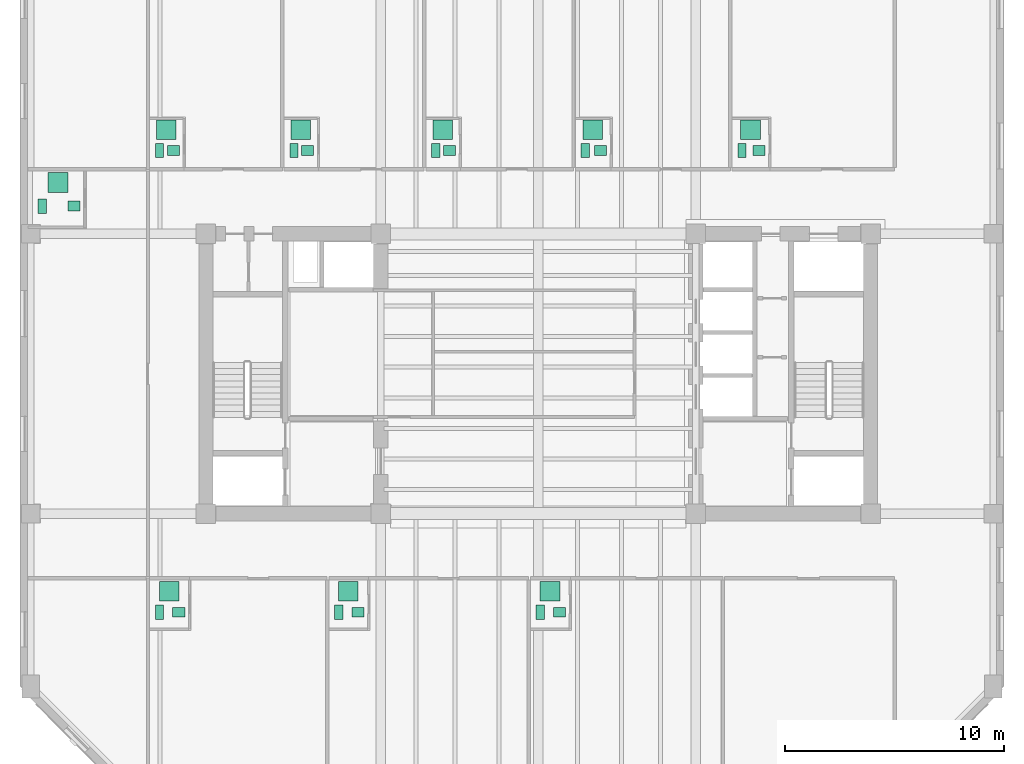
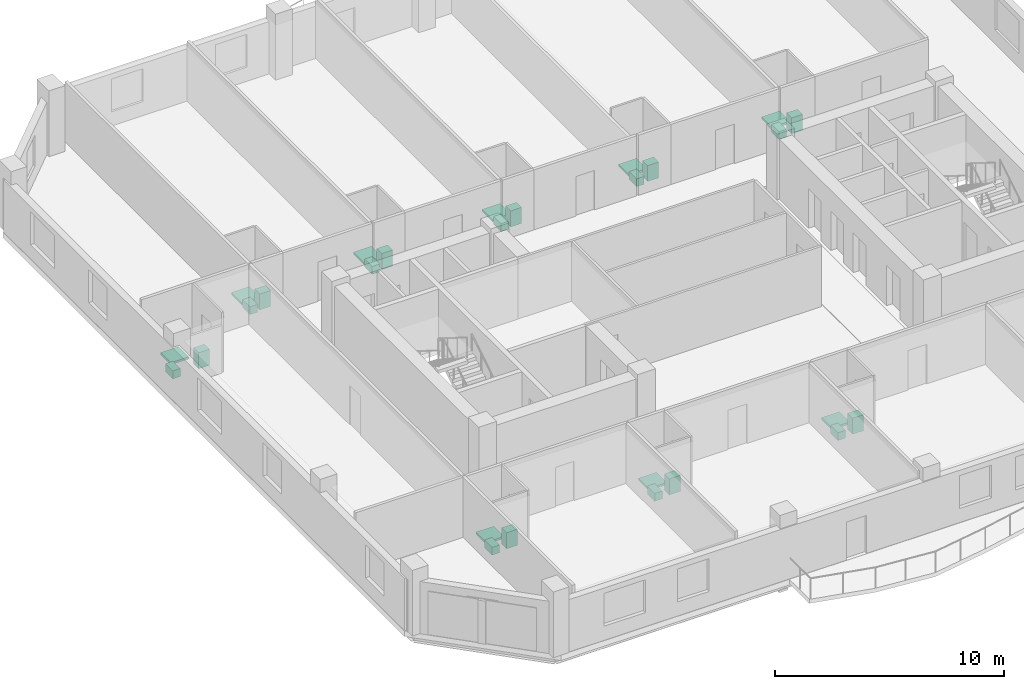
# One storey, part 11 of 11: 27 sanitary terminals.
"""IFC4 building model written with IfcOpenShell, lengths in metres."""

from ifc_helpers import new_model, si_unit, direction, frame, origin, origin_2d, place, context, subcontext, project, spatial, rectangle, extrude, material, type_object, element, save


model = new_model("IFC4")

# Units and contexts
model_context = context("Model", 3, precision=1e-05, world=origin(), true_north=direction((0.0, 1.0)))
body_context = subcontext(model_context, "Body", "Model", "MODEL_VIEW")
ifc_project = project(units=[si_unit("LENGTHUNIT", "METRE"), si_unit("AREAUNIT", "SQUARE_METRE"), si_unit("VOLUMEUNIT", "CUBIC_METRE"), si_unit("PLANEANGLEUNIT", "RADIAN"), si_unit("MASSUNIT", "GRAM", prefix="KILO")], contexts=[model_context])

# Site, building, storey
site_placement = place(None, origin())
site = spatial("IfcSite", under=ifc_project, at=site_placement, CompositionType="ELEMENT")
building_placement = place(site_placement, origin())
building = spatial("IfcBuilding", under=site, at=building_placement, Name="Kranthara Brick Stack", CompositionType="ELEMENT")
storey_placement = place(building_placement, frame((0.0, 0.0, 190.300048828125)))
storey = spatial("IfcBuildingStorey", under=building, at=storey_placement, Name="L49", CompositionType="ELEMENT", Elevation=190.300048828125)

# Sanitary terminals
ifc_material_1 = material(Name="Vitreous china sanitary porcelain", Category="other")
sanitary_terminal_type_1 = type_object("IfcSanitaryTerminalType", Name="SAN-BASIN", PredefinedType="WASHHANDBASIN", material=ifc_material_1)
for number, where, z_axis, x_axis, name in (
    (1, (11.56005859375, 16.294921875, 0.0), (0.0, 0.0, 1.0), (1.0, 0.0, 0.0), "L49 Washbasin 275"),
    (2, (19.756103515625, 16.294921875, 0.0), (0.0, 0.0, 1.0), (1.0, 0.0, 0.0), "L49 Washbasin 276"),
    (3, (28.97607421875, 16.294921875, 0.0), (0.0, 0.0, 1.0), (1.0, 0.0, 0.0), "L49 Washbasin 277"),
    (4, (11.31005859375, 37.405029296875, 0.0), (0.0, 0.0, 1.0), (1.0, 0.0, 0.0), "L49 Washbasin 278"),
    (5, (17.45703125, 37.405029296875, 0.0), (0.0, 0.0, 1.0), (1.0, 0.0, 0.0), "L49 Washbasin 279"),
    (6, (23.945068359375, 37.405029296875, 0.0), (0.0, 0.0, 1.0), (1.0, 0.0, 0.0), "L49 Washbasin 280"),
    (7, (30.845947265625, 37.405029296875, 0.0), (0.0, 0.0, 1.0), (1.0, 0.0, 0.0), "L49 Washbasin 281"),
    (8, (38.10009765625, 37.405029296875, 0.0), (0.0, 0.0, 1.0), (1.0, 0.0, 0.0), "L49 Washbasin 282"),
    (9, (6.760009765625, 34.864990234375, 0.0), (0.0, 0.0, 1.0), (1.0, 0.0, 0.0), "L49 Washbasin 283"),
):
    element("IfcSanitaryTerminal", number, at=place(storey_placement, frame(where, z_axis=z_axis, x_axis=x_axis)), inside=storey, type_object=sanitary_terminal_type_1, Name=name, PredefinedType="WASHHANDBASIN", context=body_context, shape_type="SweptSolid", body=[
        extrude(rectangle(XDim=0.550048828125, YDim=0.449951171875, at=origin_2d()), origin(), (0.0, 0.0, 1.0), 0.85009765625),
    ])
ifc_material_2 = material(Name="Acrylic and porcelain shower tray", Category="other")
sanitary_terminal_type_2 = type_object("IfcSanitaryTerminalType", Name="SAN-SHOWER", PredefinedType="SHOWER", material=ifc_material_2)
for number, where, z_axis, x_axis, name in (
    (10, (11.1201171875, 17.25, 0.0), (0.0, 0.0, 1.0), (1.0, 0.0, 0.0), "L49 Shower Tray 275"),
    (11, (19.31591796875, 17.25, 0.0), (0.0, 0.0, 1.0), (1.0, 0.0, 0.0), "L49 Shower Tray 276"),
    (12, (28.535888671875, 17.25, 0.0), (0.0, 0.0, 1.0), (1.0, 0.0, 0.0), "L49 Shower Tray 277"),
    (13, (10.9951171875, 38.360107421875, 0.0), (0.0, 0.0, 1.0), (1.0, 0.0, 0.0), "L49 Shower Tray 278"),
    (14, (17.14208984375, 38.360107421875, 0.0), (0.0, 0.0, 1.0), (1.0, 0.0, 0.0), "L49 Shower Tray 279"),
    (15, (23.6298828125, 38.360107421875, 0.0), (0.0, 0.0, 1.0), (1.0, 0.0, 0.0), "L49 Shower Tray 280"),
    (16, (30.49609375, 38.360107421875, 0.0), (0.0, 0.0, 1.0), (1.0, 0.0, 0.0), "L49 Shower Tray 281"),
    (17, (37.708984375, 38.360107421875, 0.0), (0.0, 0.0, 1.0), (1.0, 0.0, 0.0), "L49 Shower Tray 282"),
    (18, (6.0400390625, 35.949951171875, 0.0), (0.0, 0.0, 1.0), (1.0, 0.0, 0.0), "L49 Shower Tray 283"),
):
    element("IfcSanitaryTerminal", number, at=place(storey_placement, frame(where, z_axis=z_axis, x_axis=x_axis)), inside=storey, type_object=sanitary_terminal_type_2, Name=name, PredefinedType="SHOWER", context=body_context, shape_type="SweptSolid", body=[
        extrude(rectangle(XDim=0.89990234375, YDim=0.89990234375, at=origin_2d()), origin(), (0.0, 0.0, 1.0), 0.1201171875),
    ])
ifc_material_3 = material(Name="Vitreous china sanitary porcelain", Category="other")
sanitary_terminal_type_3 = type_object("IfcSanitaryTerminalType", Name="SAN-WC-PAN", PredefinedType="TOILETPAN", material=ifc_material_3)
for number, where, z_axis, x_axis, name in (
    (19, (10.679931640625, 16.294921875, 0.0), (0.0, 0.0, 1.0), (1.0, 0.0, 0.0), "L49 WC Pan 275"),
    (20, (18.8759765625, 16.294921875, 0.0), (0.0, 0.0, 1.0), (1.0, 0.0, 0.0), "L49 WC Pan 276"),
    (21, (28.095947265625, 16.294921875, 0.0), (0.0, 0.0, 1.0), (1.0, 0.0, 0.0), "L49 WC Pan 277"),
    (22, (10.679931640625, 37.405029296875, 0.0), (0.0, 0.0, 1.0), (1.0, 0.0, 0.0), "L49 WC Pan 278"),
    (23, (16.826904296875, 37.405029296875, 0.0), (0.0, 0.0, 1.0), (1.0, 0.0, 0.0), "L49 WC Pan 279"),
    (24, (23.31494140625, 37.405029296875, 0.0), (0.0, 0.0, 1.0), (1.0, 0.0, 0.0), "L49 WC Pan 280"),
    (25, (30.14501953125, 37.405029296875, 0.0), (0.0, 0.0, 1.0), (1.0, 0.0, 0.0), "L49 WC Pan 281"),
    (26, (37.31689453125, 37.405029296875, 0.0), (0.0, 0.0, 1.0), (1.0, 0.0, 0.0), "L49 WC Pan 282"),
    (27, (5.320068359375, 34.864990234375, 0.0), (0.0, 0.0, 1.0), (1.0, 0.0, 0.0), "L49 WC Pan 283"),
):
    element("IfcSanitaryTerminal", number, at=place(storey_placement, frame(where, z_axis=z_axis, x_axis=x_axis)), inside=storey, type_object=sanitary_terminal_type_3, Name=name, PredefinedType="TOILETPAN", context=body_context, shape_type="SweptSolid", body=[
        extrude(rectangle(XDim=0.3798828125, YDim=0.64990234375, at=origin_2d()), origin(), (0.0, 0.0, 1.0), 0.419921875),
    ])

save(model, "model.ifc")
